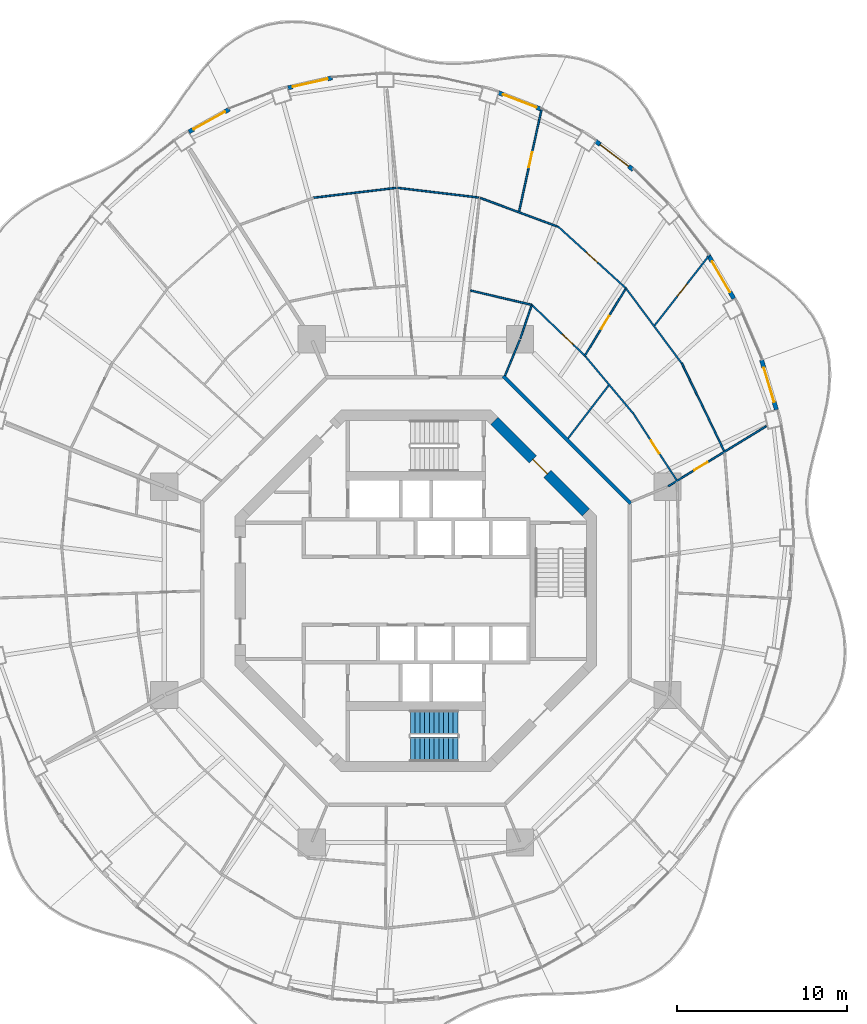
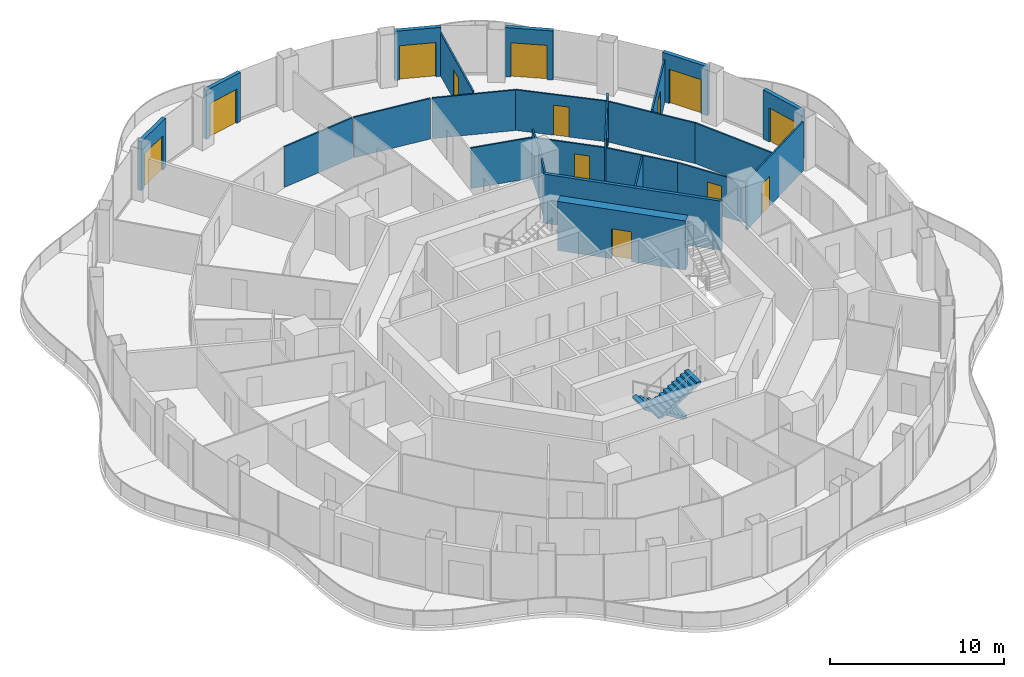
# One storey, part 14 of 18: 25 walls, 14 doors, 2 stair flights, 14 openings, 1 element without a shape of its own.
"""IFC4 building model written with IfcOpenShell, lengths in metres."""

from ifc_helpers import new_model, si_unit, direction, frame, frame_2d, origin, place, context, subcontext, project, spatial, polyline, rectangle, outline, extrude, material, layer, layer_set, type_object, element, fill, aggregate, save


model = new_model("IFC4")

# Units and contexts
model_context = context("Model", 3, precision=1e-05, world=origin(), true_north=direction((0.0, 1.0)))
body_context = subcontext(model_context, "Body", "Model", "MODEL_VIEW")
ifc_project = project(units=[si_unit("LENGTHUNIT", "METRE"), si_unit("AREAUNIT", "SQUARE_METRE"), si_unit("VOLUMEUNIT", "CUBIC_METRE"), si_unit("PLANEANGLEUNIT", "RADIAN"), si_unit("MASSUNIT", "GRAM", prefix="KILO")], contexts=[model_context])

# Site, building, storey
site_placement = place(None, origin())
site = spatial("IfcSite", under=ifc_project, at=site_placement, CompositionType="ELEMENT")
building_placement = place(site_placement, origin())
building = spatial("IfcBuilding", under=site, at=building_placement, Name="Nagisa Residences", CompositionType="ELEMENT")
storey_placement = place(building_placement, frame((0.0, 0.0, 227.0)))
storey = spatial("IfcBuildingStorey", under=building, at=storey_placement, Name="L57", CompositionType="ELEMENT", Elevation=227.0)

# Wall
ifc_material_1 = material(Name="Gypsum board on steel studs", Category="steel")
ifc_layer_1 = layer(ifc_material_1, 0.199951171875)
ifc_layer_set_1 = layer_set([ifc_layer_1], Name="Apartment entry wall EI60 200")
wall_type_1 = type_object("IfcWallType", Name="Apartment entry wall EI60 200", PredefinedType="PARTITIONING", material=ifc_layer_set_1)
wall_1_placement = place(storey_placement, frame((12.635498046875, 5.1337890625, 0.0), z_axis=(0.0, 0.0, 1.0), x_axis=(-0.707106781187, 0.707106781187, 0.0)))
element("IfcWall", 1, at=wall_1_placement, inside=storey, type_object=wall_type_1, Name="wall:L57:u09", PredefinedType="PARTITIONING", context=body_context, shape_type="SweptSolid", body=[
    extrude(rectangle(XDim=10.609130859375, YDim=0.199951171875, at=frame_2d((5.3046875, 0.0))), origin(), (0.0, 0.0, 1.0), 3.43994140625),
])

# Wall, opening, door
ifc_material_2 = material(Name="Gypsum board on steel studs", Category="steel")
ifc_layer_2 = layer(ifc_material_2, 0.10009765625)
ifc_layer_set_2 = layer_set([ifc_layer_2], Name="Apartment partition 100")
wall_type_2 = type_object("IfcWallType", Name="Apartment partition 100", PredefinedType="PARTITIONING", material=ifc_layer_set_2)
wall_2_placement = place(storey_placement, frame((14.82470703125, 6.149169921875, 0.0), z_axis=(0.0, 0.0, 1.0), x_axis=(0.852781365284, 0.522268075824, 0.0)))
wall_2 = element("IfcWall", 2, at=wall_2_placement, inside=storey, type_object=wall_type_2, Name="wall:L57:u22", PredefinedType="PARTITIONING", context=body_context, shape_type="SweptSolid", body=[
    extrude(rectangle(XDim=6.758056640625, YDim=0.10009765625, at=frame_2d((3.37890625, 0.0))), origin(), (0.0, 0.0, 1.0), 3.43994140625),
])
opening_1_placement = place(wall_2_placement, frame((1.80078125, 0.0, 0.0)))
opening_1 = element("IfcOpeningElement", 3, at=opening_1_placement, cuts=wall_2, Name="Opening L57-U44", PredefinedType="OPENING", context=body_context, shape_type="SweptSolid", body=[
    extrude(rectangle(XDim=0.89990234375, YDim=2.10009765625, at=frame_2d((0.449951171875, 1.050048828125))), frame((0.0, 0.06005859375, 0.0), z_axis=(0.0, -1.0, 0.0), x_axis=(1.0, 0.0, 0.0)), (0.0, 0.0, 1.0), 0.1201171875),
])
ifc_material_3 = material(Name="Timber door set", Category="wood")
door_type_1 = type_object("IfcDoorType", Name="Apartment door 900x2100", OperationType="NOTDEFINED", PredefinedType="DOOR", material=ifc_material_3)
door_1_placement = place(opening_1_placement, frame((0.89990234375, 0.0, 0.0), x_axis=(-1.0, 0.0, 0.0)))
door_1 = element("IfcDoor", 4, at=door_1_placement, inside=storey, type_object=door_type_1, Name="Door to study, Apartment 57D", OperationType="SINGLE_SWING_LEFT", OverallHeight=2.10009765625, OverallWidth=0.89990234375, PredefinedType="DOOR", context=body_context, shape_type="SweptSolid", body=[
    extrude(rectangle(XDim=0.89990234375, YDim=2.10009765625, at=frame_2d((0.449951171875, 1.050048828125))), frame((0.0, 0.02490234375, 0.0), z_axis=(0.0, -1.0, 0.0), x_axis=(1.0, 0.0, 0.0)), (0.0, 0.0, 1.0), 0.050048828125),
])
fill(opening_1, door_1)

wall_3_placement = place(storey_placement, frame((15.322509765625, 6.512451171875, 0.0), z_axis=(0.0, 0.0, 1.0), x_axis=(-0.545191322361, 0.8383116497, 0.0)))
wall_3 = element("IfcWall", 5, at=wall_3_placement, inside=storey, type_object=wall_type_2, Name="wall:L57:u23", PredefinedType="PARTITIONING", context=body_context, shape_type="SweptSolid", body=[
    extrude(rectangle(XDim=4.692626953125, YDim=0.10009765625, at=frame_2d((2.34619140625, 0.0))), origin(), (0.0, 0.0, 1.0), 2.8369140625),
])
opening_2_placement = place(wall_3_placement, frame((1.87109375, 0.0, 0.0)))
opening_2 = element("IfcOpeningElement", 6, at=opening_2_placement, cuts=wall_3, Name="Opening L57-U43", PredefinedType="OPENING", context=body_context, shape_type="SweptSolid", body=[
    extrude(rectangle(XDim=0.89990234375, YDim=2.10009765625, at=frame_2d((0.449951171875, 1.050048828125))), frame((0.0, 0.06005859375, 0.0), z_axis=(0.0, -1.0, 0.0), x_axis=(1.0, 0.0, 0.0)), (0.0, 0.0, 1.0), 0.1201171875),
])
door_2_placement = place(opening_2_placement, origin())
door_2 = element("IfcDoor", 7, at=door_2_placement, inside=storey, type_object=door_type_1, Name="Door to store, Apartment 57D", OperationType="SINGLE_SWING_LEFT", OverallHeight=2.10009765625, OverallWidth=0.89990234375, PredefinedType="DOOR", context=body_context, shape_type="SweptSolid", body=[
    extrude(rectangle(XDim=0.89990234375, YDim=2.10009765625, at=frame_2d((0.449951171875, 1.050048828125))), frame((0.0, 0.02490234375, 0.0), z_axis=(0.0, -1.0, 0.0), x_axis=(1.0, 0.0, 0.0)), (0.0, 0.0, 1.0), 0.050048828125),
])
fill(opening_2, door_2)

# Walls
wall_4_placement = place(storey_placement, frame((18.11669921875, 8.2236328125, 0.0), z_axis=(0.0, 0.0, 1.0), x_axis=(-0.434647681571, 0.900600573453, 0.0)))
element("IfcWall", 8, at=wall_4_placement, inside=storey, type_object=wall_type_2, Name="wall:L57:u24", PredefinedType="PARTITIONING", context=body_context, shape_type="SweptSolid", body=[
    extrude(rectangle(XDim=5.724365234375, YDim=0.10009765625, at=frame_2d((2.8623046875, 0.0))), origin(), (0.0, 0.0, 1.0), 2.8369140625),
])
wall_5_placement = place(storey_placement, frame((12.75927734375, 10.442626953125, 0.0), z_axis=(0.0, 0.0, 1.0), x_axis=(-0.642225196965, 0.766516011825, 0.0)))
element("IfcWall", 9, at=wall_5_placement, inside=storey, type_object=wall_type_2, Name="wall:L57:u25", PredefinedType="PARTITIONING", context=body_context, shape_type="SweptSolid", body=[
    extrude(rectangle(XDim=4.360595703125, YDim=0.10009765625, at=frame_2d((2.18017578125, 0.0))), origin(), (0.0, 0.0, 1.0), 2.8369140625),
])
wall_6_placement = place(storey_placement, frame((15.62060546875, 13.3740234375, 0.0), z_axis=(0.0, 0.0, 1.0), x_axis=(-0.596165830899, 0.802861321816, 0.0)))
element("IfcWall", 10, at=wall_6_placement, inside=storey, type_object=wall_type_2, Name="wall:L57:u26", PredefinedType="PARTITIONING", context=body_context, shape_type="SweptSolid", body=[
    extrude(rectangle(XDim=5.5419921875, YDim=0.10009765625, at=frame_2d((2.77099609375, 0.0))), origin(), (0.0, 0.0, 1.0), 2.8369140625),
])
wall_7_placement = place(storey_placement, frame((8.945556640625, 8.964111328125, 0.0), z_axis=(0.0, 0.0, 1.0), x_axis=(0.608213063121, 0.793773815296, 0.0)))
element("IfcWall", 11, at=wall_7_placement, inside=storey, type_object=wall_type_2, Name="wall:L57:u27", PredefinedType="PARTITIONING", context=body_context, shape_type="SweptSolid", body=[
    extrude(rectangle(XDim=3.918212890625, YDim=0.10009765625, at=frame_2d((1.958984375, 0.0))), origin(), (0.0, 0.0, 1.0), 2.761962890625),
])

# Wall, opening, door
wall_8_placement = place(storey_placement, frame((14.029052734375, 15.597900390625, 0.0), z_axis=(0.0, 0.0, 1.0), x_axis=(0.614558710688, 0.788871086501, 0.0)))
wall_8 = element("IfcWall", 12, at=wall_8_placement, inside=storey, type_object=wall_type_2, Name="wall:L57:u28", PredefinedType="PARTITIONING", context=body_context, shape_type="SweptSolid", body=[
    extrude(rectangle(XDim=5.276123046875, YDim=0.10009765625, at=frame_2d((2.63818359375, 0.0))), origin(), (0.0, 0.0, 1.0), 2.98291015625),
])
opening_3_placement = place(wall_8_placement, frame((2.18798828125, 0.0, 0.0)))
opening_3 = element("IfcOpeningElement", 13, at=opening_3_placement, cuts=wall_8, Name="Opening L57-U42", PredefinedType="OPENING", context=body_context, shape_type="SweptSolid", body=[
    extrude(rectangle(XDim=0.89990234375, YDim=2.10009765625, at=frame_2d((0.449951171875, 1.050048828125))), frame((0.0, 0.06005859375, 0.0), z_axis=(0.0, -1.0, 0.0), x_axis=(1.0, 0.0, 0.0)), (0.0, 0.0, 1.0), 0.1201171875),
])
door_3_placement = place(opening_3_placement, frame((0.89990234375, 0.0, 0.0), x_axis=(-1.0, 0.0, 0.0)))
door_3 = element("IfcDoor", 14, at=door_3_placement, inside=storey, type_object=door_type_1, Name="Door to master bedroom, Apartment 57D", OperationType="SINGLE_SWING_LEFT", OverallHeight=2.10009765625, OverallWidth=0.89990234375, PredefinedType="DOOR", context=body_context, shape_type="SweptSolid", body=[
    extrude(rectangle(XDim=0.89990234375, YDim=2.10009765625, at=frame_2d((0.449951171875, 1.050048828125))), frame((0.0, 0.02490234375, 0.0), z_axis=(0.0, -1.0, 0.0), x_axis=(1.0, 0.0, 0.0)), (0.0, 0.0, 1.0), 0.050048828125),
])
fill(opening_3, door_3)

wall_9_placement = place(storey_placement, frame((9.900390625, 13.78076171875, 0.0), z_axis=(0.0, 0.0, 1.0), x_axis=(0.521464905534, 0.853272730313, 0.0)))
wall_9 = element("IfcWall", 15, at=wall_9_placement, inside=storey, type_object=wall_type_2, Name="wall:L57:u29", PredefinedType="PARTITIONING", context=body_context, shape_type="SweptSolid", body=[
    extrude(rectangle(XDim=4.640625, YDim=0.10009765625, at=frame_2d((2.3203125, 0.0))), origin(), (0.0, 0.0, 1.0), 3.43994140625),
])
opening_4_placement = place(wall_9_placement, frame((1.895263671875, 0.0, 0.0)))
opening_4 = element("IfcOpeningElement", 16, at=opening_4_placement, cuts=wall_9, Name="Opening L57-U41", PredefinedType="OPENING", context=body_context, shape_type="SweptSolid", body=[
    extrude(rectangle(XDim=0.89990234375, YDim=2.10009765625, at=frame_2d((0.449951171875, 1.050048828125))), frame((0.0, 0.06005859375, 0.0), z_axis=(0.0, -1.0, 0.0), x_axis=(1.0, 0.0, 0.0)), (0.0, 0.0, 1.0), 0.1201171875),
])
door_4_placement = place(opening_4_placement, frame((0.89990234375, 0.0, 0.0), x_axis=(-1.0, 0.0, 0.0)))
door_4 = element("IfcDoor", 17, at=door_4_placement, inside=storey, type_object=door_type_1, Name="Door to kitchen, Apartment 57D", OperationType="SINGLE_SWING_RIGHT", OverallHeight=2.10009765625, OverallWidth=0.89990234375, PredefinedType="DOOR", context=body_context, shape_type="SweptSolid", body=[
    extrude(rectangle(XDim=0.89990234375, YDim=2.10009765625, at=frame_2d((0.449951171875, 1.050048828125))), frame((0.0, 0.02490234375, 0.0), z_axis=(0.0, -1.0, 0.0), x_axis=(1.0, 0.0, 0.0)), (0.0, 0.0, 1.0), 0.050048828125),
])
fill(opening_4, door_4)

wall_10_placement = place(storey_placement, frame((9.890380859375, 13.858154296875, 0.0), z_axis=(0.0, 0.0, 1.0), x_axis=(-0.72167233993, 0.692234811159, 0.0)))
wall_10 = element("IfcWall", 18, at=wall_10_placement, inside=storey, type_object=wall_type_2, Name="wall:L57:u30", PredefinedType="PARTITIONING", context=body_context, shape_type="SweptSolid", body=[
    extrude(rectangle(XDim=4.312744140625, YDim=0.10009765625, at=frame_2d((2.15625, 0.0))), origin(), (0.0, 0.0, 1.0), 2.8369140625),
])
opening_5_placement = place(wall_10_placement, frame((0.882568359375, 0.0, 0.0)))
opening_5 = element("IfcOpeningElement", 19, at=opening_5_placement, cuts=wall_10, Name="Opening L57-U40", PredefinedType="OPENING", context=body_context, shape_type="SweptSolid", body=[
    extrude(rectangle(XDim=0.89990234375, YDim=2.10009765625, at=frame_2d((0.449951171875, 1.050048828125))), frame((0.0, 0.06005859375, 0.0), z_axis=(0.0, -1.0, 0.0), x_axis=(1.0, 0.0, 0.0)), (0.0, 0.0, 1.0), 0.1201171875),
])
door_5_placement = place(opening_5_placement, origin())
door_5 = element("IfcDoor", 20, at=door_5_placement, inside=storey, type_object=door_type_1, Name="Door to laundry, Apartment 57D", OperationType="SINGLE_SWING_RIGHT", OverallHeight=2.10009765625, OverallWidth=0.89990234375, PredefinedType="DOOR", context=body_context, shape_type="SweptSolid", body=[
    extrude(rectangle(XDim=0.89990234375, YDim=2.10009765625, at=frame_2d((0.449951171875, 1.050048828125))), frame((0.0, 0.02490234375, 0.0), z_axis=(0.0, -1.0, 0.0), x_axis=(1.0, 0.0, 0.0)), (0.0, 0.0, 1.0), 0.050048828125),
])
fill(opening_5, door_5)

wall_11_placement = place(storey_placement, frame((12.3095703125, 17.81689453125, 0.0), z_axis=(0.0, 0.0, 1.0), x_axis=(-0.739697052892, 0.672940019573, 0.0)))
wall_11 = element("IfcWall", 21, at=wall_11_placement, inside=storey, type_object=wall_type_2, Name="wall:L57:u31", PredefinedType="PARTITIONING", context=body_context, shape_type="SweptSolid", body=[
    extrude(rectangle(XDim=5.364990234375, YDim=0.10009765625, at=frame_2d((2.6826171875, 0.0))), origin(), (0.0, 0.0, 1.0), 2.8369140625),
])
opening_6_placement = place(wall_11_placement, frame((2.20751953125, 0.0, 0.0)))
opening_6 = element("IfcOpeningElement", 22, at=opening_6_placement, cuts=wall_11, Name="Opening L57-U37", PredefinedType="OPENING", context=body_context, shape_type="SweptSolid", body=[
    extrude(rectangle(XDim=0.89990234375, YDim=2.10009765625, at=frame_2d((0.449951171875, 1.050048828125))), frame((0.0, 0.06005859375, 0.0), z_axis=(0.0, -1.0, 0.0), x_axis=(1.0, 0.0, 0.0)), (0.0, 0.0, 1.0), 0.1201171875),
])
door_6_placement = place(opening_6_placement, frame((0.89990234375, 0.0, 0.0), x_axis=(-1.0, 0.0, 0.0)))
door_6 = element("IfcDoor", 23, at=door_6_placement, inside=storey, type_object=door_type_1, Name="Door to family room, Apartment 57D", OperationType="SINGLE_SWING_RIGHT", OverallHeight=2.10009765625, OverallWidth=0.89990234375, PredefinedType="DOOR", context=body_context, shape_type="SweptSolid", body=[
    extrude(rectangle(XDim=0.89990234375, YDim=2.10009765625, at=frame_2d((0.449951171875, 1.050048828125))), frame((0.0, 0.02490234375, 0.0), z_axis=(0.0, -1.0, 0.0), x_axis=(1.0, 0.0, 0.0)), (0.0, 0.0, 1.0), 0.050048828125),
])
fill(opening_6, door_6)

# Walls
wall_12_placement = place(storey_placement, frame((5.24267578125, 12.6572265625, 0.0), z_axis=(0.0, 0.0, 1.0), x_axis=(0.382719158442, 0.923864733477, 0.0)))
element("IfcWall", 24, at=wall_12_placement, inside=storey, type_object=wall_type_2, Name="wall:L57:u32", PredefinedType="PARTITIONING", context=body_context, shape_type="SweptSolid", body=[
    extrude(rectangle(XDim=2.25, YDim=0.10009765625, at=frame_2d((1.125, 0.0))), origin(), (0.0, 0.0, 1.0), 3.43994140625),
])
wall_13_placement = place(storey_placement, frame((6.13916015625, 14.829345703125, 0.0), z_axis=(0.0, 0.0, 1.0), x_axis=(0.32278593828, 0.946471995385, 0.0)))
element("IfcWall", 25, at=wall_13_placement, inside=storey, type_object=wall_type_2, Name="wall:L57:u33", PredefinedType="PARTITIONING", context=body_context, shape_type="SweptSolid", body=[
    extrude(rectangle(XDim=2.04150390625, YDim=0.10009765625, at=frame_2d((1.020751953125, 0.0))), origin(), (0.0, 0.0, 1.0), 3.43994140625),
])
wall_14_placement = place(storey_placement, frame((6.765625, 16.8203125, 0.0), z_axis=(0.0, 0.0, 1.0), x_axis=(-0.973612608559, 0.22820711745, 0.0)))
element("IfcWall", 26, at=wall_14_placement, inside=storey, type_object=wall_type_2, Name="wall:L57:u34", PredefinedType="PARTITIONING", context=body_context, shape_type="SweptSolid", body=[
    extrude(rectangle(XDim=3.6630859375, YDim=0.10009765625, at=frame_2d((1.83154296875, 0.0))), origin(), (0.0, 0.0, 1.0), 2.8369140625),
])
wall_15_placement = place(storey_placement, frame((8.3310546875, 21.410888671875, 0.0), z_axis=(0.0, 0.0, 1.0), x_axis=(-0.937891982431, 0.346927412136, 0.0)))
element("IfcWall", 27, at=wall_15_placement, inside=storey, type_object=wall_type_2, Name="wall:L57:u35", PredefinedType="PARTITIONING", context=body_context, shape_type="SweptSolid", body=[
    extrude(rectangle(XDim=4.85009765625, YDim=0.10009765625, at=frame_2d((2.425048828125, 0.0))), origin(), (0.0, 0.0, 1.0), 2.8369140625),
])

# Wall, opening, door
wall_16_placement = place(storey_placement, frame((6.0673828125, 22.301025390625, 0.0), z_axis=(0.0, 0.0, 1.0), x_axis=(0.214401821533, 0.976745544614, 0.0)))
wall_16 = element("IfcWall", 28, at=wall_16_placement, inside=storey, type_object=wall_type_2, Name="wall:L57:u36", PredefinedType="PARTITIONING", context=body_context, shape_type="SweptSolid", body=[
    extrude(rectangle(XDim=6.2275390625, YDim=0.10009765625, at=frame_2d((3.11376953125, 0.0))), origin(), (0.0, 0.0, 1.0), 2.98291015625),
])
opening_7_placement = place(wall_16_placement, frame((2.663818359375, 0.0, 0.0)))
opening_7 = element("IfcOpeningElement", 29, at=opening_7_placement, cuts=wall_16, Name="Opening L57-U38", PredefinedType="OPENING", context=body_context, shape_type="SweptSolid", body=[
    extrude(rectangle(XDim=0.89990234375, YDim=2.10009765625, at=frame_2d((0.449951171875, 1.050048828125))), frame((0.0, 0.06005859375, 0.0), z_axis=(0.0, -1.0, 0.0), x_axis=(1.0, 0.0, 0.0)), (0.0, 0.0, 1.0), 0.1201171875),
])
door_7_placement = place(opening_7_placement, origin())
door_7 = element("IfcDoor", 30, at=door_7_placement, inside=storey, type_object=door_type_1, Name="Door to master bedroom, Apartment 57D", OperationType="SINGLE_SWING_RIGHT", OverallHeight=2.10009765625, OverallWidth=0.89990234375, PredefinedType="DOOR", context=body_context, shape_type="SweptSolid", body=[
    extrude(rectangle(XDim=0.89990234375, YDim=2.10009765625, at=frame_2d((0.449951171875, 1.050048828125))), frame((0.0, 0.02490234375, 0.0), z_axis=(0.0, -1.0, 0.0), x_axis=(1.0, 0.0, 0.0)), (0.0, 0.0, 1.0), 0.050048828125),
])
fill(opening_7, door_7)

# Walls
wall_17_placement = place(storey_placement, frame((3.685791015625, 23.11669921875, 0.0), z_axis=(0.0, 0.0, 1.0), x_axis=(-0.992965872314, 0.11840091393, 0.0)))
element("IfcWall", 31, at=wall_17_placement, inside=storey, type_object=wall_type_2, Name="wall:L57:u38", PredefinedType="PARTITIONING", context=body_context, shape_type="SweptSolid", body=[
    extrude(rectangle(XDim=4.785888671875, YDim=0.10009765625, at=frame_2d((2.39306640625, 0.0))), origin(), (0.0, 0.0, 1.0), 2.8369140625),
])
wall_18_placement = place(storey_placement, frame((-1.165771484375, 23.683349609375, 0.0), z_axis=(0.0, 0.0, 1.0), x_axis=(-0.992961712415, -0.118435795593, 0.0)))
element("IfcWall", 32, at=wall_18_placement, inside=storey, type_object=wall_type_2, Name="wall:L57:u41", PredefinedType="PARTITIONING", context=body_context, shape_type="SweptSolid", body=[
    extrude(rectangle(XDim=4.885498046875, YDim=0.10009765625, at=frame_2d((2.44287109375, 0.0))), origin(), (0.0, 0.0, 1.0), 2.8369140625),
])

# Wall, opening, door
ifc_material_4 = material(Name="Precast concrete C40/50", Category="concrete")
ifc_layer_3 = layer(ifc_material_4, 0.25)
ifc_layer_set_3 = layer_set([ifc_layer_3], Name="BALCONY DOOR WALL 250")
wall_type_3 = type_object("IfcWallType", Name="BALCONY DOOR WALL 250", PredefinedType="SOLIDWALL", material=ifc_layer_set_3)
wall_19_placement = place(storey_placement, frame((20.318115234375, 13.563720703125, 0.0), z_axis=(0.0, 0.0, 1.0), x_axis=(0.285785716255, -0.958293548128, 0.0)))
wall_19 = element("IfcWall", 33, at=wall_19_placement, inside=storey, type_object=wall_type_3, Name="wall:L57:bay02", PredefinedType="SOLIDWALL", context=body_context, shape_type="SweptSolid", body=[
    extrude(rectangle(XDim=3.040283203125, YDim=0.25, at=frame_2d((1.52001953125, 0.0))), origin(), (0.0, 0.0, 1.0), 3.43994140625),
])
opening_8_placement = place(wall_19_placement, frame((0.47021484375, 0.0, 0.0)))
opening_8 = element("IfcOpeningElement", 34, at=opening_8_placement, cuts=wall_19, Name="Opening BD-L57-01", PredefinedType="OPENING", context=body_context, shape_type="SweptSolid", body=[
    extrude(rectangle(XDim=2.10009765625, YDim=2.39990234375, at=frame_2d((1.050048828125, 1.199951171875))), frame((0.0, 0.135009765625, 0.0), z_axis=(0.0, -1.0, 0.0), x_axis=(1.0, 0.0, 0.0)), (0.0, 0.0, 1.0), 0.27001953125),
])
ifc_material_5 = material(Name="Aluminium and clear glass", Category="aluminium")
door_type_2 = type_object("IfcDoorType", Name="BALCONY SLIDING DOOR 2100x2400", OperationType="SLIDING_TO_LEFT", PredefinedType="DOOR", material=ifc_material_5)
door_8_placement = place(opening_8_placement, origin())
door_8 = element("IfcDoor", 35, at=door_8_placement, inside=storey, type_object=door_type_2, Name="door:L57:bay02", OperationType="SLIDING_TO_LEFT", OverallHeight=2.39990234375, OverallWidth=2.10009765625, PredefinedType="DOOR", context=body_context, shape_type="SweptSolid", body=[
    extrude(rectangle(XDim=2.10009765625, YDim=2.39990234375, at=frame_2d((1.050048828125, 1.199951171875))), frame((0.0, 0.02490234375, 0.0), z_axis=(0.0, -1.0, 0.0), x_axis=(1.0, 0.0, 0.0)), (0.0, 0.0, 1.0), 0.050048828125),
])
fill(opening_8, door_8)

wall_20_placement = place(storey_placement, frame((17.188232421875, 19.728271484375, 0.0), z_axis=(0.0, 0.0, 1.0), x_axis=(0.506391620556, -0.862303616269, 0.0)))
wall_20 = element("IfcWall", 36, at=wall_20_placement, inside=storey, type_object=wall_type_3, Name="wall:L57:bay04", PredefinedType="SOLIDWALL", context=body_context, shape_type="SweptSolid", body=[
    extrude(rectangle(XDim=2.954345703125, YDim=0.25, at=frame_2d((1.47705078125, 0.0))), origin(), (0.0, 0.0, 1.0), 3.43994140625),
])
opening_9_placement = place(wall_20_placement, frame((0.42724609375, 0.0, 0.0)))
opening_9 = element("IfcOpeningElement", 37, at=opening_9_placement, cuts=wall_20, Name="Opening BD-L57-02", PredefinedType="OPENING", context=body_context, shape_type="SweptSolid", body=[
    extrude(rectangle(XDim=2.10009765625, YDim=2.39990234375, at=frame_2d((1.050048828125, 1.199951171875))), frame((0.0, 0.135009765625, 0.0), z_axis=(0.0, -1.0, 0.0), x_axis=(1.0, 0.0, 0.0)), (0.0, 0.0, 1.0), 0.27001953125),
])
door_9_placement = place(opening_9_placement, origin())
door_9 = element("IfcDoor", 38, at=door_9_placement, inside=storey, type_object=door_type_2, Name="door:L57:bay04", OperationType="SLIDING_TO_LEFT", OverallHeight=2.39990234375, OverallWidth=2.10009765625, PredefinedType="DOOR", context=body_context, shape_type="SweptSolid", body=[
    extrude(rectangle(XDim=2.10009765625, YDim=2.39990234375, at=frame_2d((1.050048828125, 1.199951171875))), frame((0.0, 0.02490234375, 0.0), z_axis=(0.0, -1.0, 0.0), x_axis=(1.0, 0.0, 0.0)), (0.0, 0.0, 1.0), 0.050048828125),
])
fill(opening_9, door_9)

wall_21_placement = place(storey_placement, frame((10.557373046875, 26.43603515625, 0.0), z_axis=(0.0, 0.0, 1.0), x_axis=(0.796022158395, -0.605267480825, 0.0)))
wall_21 = element("IfcWall", 39, at=wall_21_placement, inside=storey, type_object=wall_type_3, Name="wall:L57:bay07", PredefinedType="SOLIDWALL", context=body_context, shape_type="SweptSolid", body=[
    extrude(rectangle(XDim=2.788818359375, YDim=0.25, at=frame_2d((1.39453125, 0.0))), origin(), (0.0, 0.0, 1.0), 3.43994140625),
])
opening_10_placement = place(wall_21_placement, frame((0.34423828125, 0.0, 0.0)))
opening_10 = element("IfcOpeningElement", 40, at=opening_10_placement, cuts=wall_21, Name="Opening BD-L57-03", PredefinedType="OPENING", context=body_context, shape_type="SweptSolid", body=[
    extrude(rectangle(XDim=2.10009765625, YDim=2.39990234375, at=frame_2d((1.050048828125, 1.199951171875))), frame((0.0, 0.135009765625, 0.0), z_axis=(0.0, -1.0, 0.0), x_axis=(1.0, 0.0, 0.0)), (0.0, 0.0, 1.0), 0.27001953125),
])
door_10_placement = place(opening_10_placement, origin())
door_10 = element("IfcDoor", 41, at=door_10_placement, inside=storey, type_object=door_type_2, Name="door:L57:bay07", OperationType="SLIDING_TO_LEFT", OverallHeight=2.39990234375, OverallWidth=2.10009765625, PredefinedType="DOOR", context=body_context, shape_type="SweptSolid", body=[
    extrude(rectangle(XDim=2.10009765625, YDim=2.39990234375, at=frame_2d((1.050048828125, 1.199951171875))), frame((0.0, 0.02490234375, 0.0), z_axis=(0.0, -1.0, 0.0), x_axis=(1.0, 0.0, 0.0)), (0.0, 0.0, 1.0), 0.050048828125),
])
fill(opening_10, door_10)

wall_22_placement = place(storey_placement, frame((4.85107421875, 29.277587890625, 0.0), z_axis=(0.0, 0.0, 1.0), x_axis=(0.932838255163, -0.360295420044, 0.0)))
wall_22 = element("IfcWall", 42, at=wall_22_placement, inside=storey, type_object=wall_type_3, Name="wall:L57:bay09", PredefinedType="SOLIDWALL", context=body_context, shape_type="SweptSolid", body=[
    extrude(rectangle(XDim=2.6962890625, YDim=0.25, at=frame_2d((1.34814453125, 0.0))), origin(), (0.0, 0.0, 1.0), 3.43994140625),
])
opening_11_placement = place(wall_22_placement, frame((0.298095703125, 0.0, 0.0)))
opening_11 = element("IfcOpeningElement", 43, at=opening_11_placement, cuts=wall_22, Name="Opening BD-L57-04", PredefinedType="OPENING", context=body_context, shape_type="SweptSolid", body=[
    extrude(rectangle(XDim=2.10009765625, YDim=2.39990234375, at=frame_2d((1.050048828125, 1.199951171875))), frame((0.0, 0.135009765625, 0.0), z_axis=(0.0, -1.0, 0.0), x_axis=(1.0, 0.0, 0.0)), (0.0, 0.0, 1.0), 0.27001953125),
])
door_11_placement = place(opening_11_placement, origin())
door_11 = element("IfcDoor", 44, at=door_11_placement, inside=storey, type_object=door_type_2, Name="door:L57:bay09", OperationType="SLIDING_TO_LEFT", OverallHeight=2.39990234375, OverallWidth=2.10009765625, PredefinedType="DOOR", context=body_context, shape_type="SweptSolid", body=[
    extrude(rectangle(XDim=2.10009765625, YDim=2.39990234375, at=frame_2d((1.050048828125, 1.199951171875))), frame((0.0, 0.02490234375, 0.0), z_axis=(0.0, -1.0, 0.0), x_axis=(1.0, 0.0, 0.0)), (0.0, 0.0, 1.0), 0.050048828125),
])
fill(opening_11, door_11)

wall_23_placement = place(storey_placement, frame((-7.514404296875, 29.562744140625, 0.0), z_axis=(0.0, 0.0, 1.0), x_axis=(0.975324089124, 0.220777990694, 0.0)))
wall_23 = element("IfcWall", 45, at=wall_23_placement, inside=storey, type_object=wall_type_3, Name="wall:L57:bay13", PredefinedType="SOLIDWALL", context=body_context, shape_type="SweptSolid", body=[
    extrude(rectangle(XDim=2.666015625, YDim=0.25, at=frame_2d((1.3330078125, 0.0))), origin(), (0.0, 0.0, 1.0), 3.43994140625),
])
opening_12_placement = place(wall_23_placement, frame((0.282958984375, 0.0, 0.0)))
opening_12 = element("IfcOpeningElement", 46, at=opening_12_placement, cuts=wall_23, Name="Opening BD-L57-05", PredefinedType="OPENING", context=body_context, shape_type="SweptSolid", body=[
    extrude(rectangle(XDim=2.10009765625, YDim=2.39990234375, at=frame_2d((1.050048828125, 1.199951171875))), frame((0.0, 0.135009765625, 0.0), z_axis=(0.0, -1.0, 0.0), x_axis=(1.0, 0.0, 0.0)), (0.0, 0.0, 1.0), 0.27001953125),
])
door_12_placement = place(opening_12_placement, origin())
door_12 = element("IfcDoor", 47, at=door_12_placement, inside=storey, type_object=door_type_2, Name="door:L57:bay13", OperationType="SLIDING_TO_LEFT", OverallHeight=2.39990234375, OverallWidth=2.10009765625, PredefinedType="DOOR", context=body_context, shape_type="SweptSolid", body=[
    extrude(rectangle(XDim=2.10009765625, YDim=2.39990234375, at=frame_2d((1.050048828125, 1.199951171875))), frame((0.0, 0.02490234375, 0.0), z_axis=(0.0, -1.0, 0.0), x_axis=(1.0, 0.0, 0.0)), (0.0, 0.0, 1.0), 0.050048828125),
])
fill(opening_12, door_12)

wall_24_placement = place(storey_placement, frame((-13.337890625, 26.973876953125, 0.0), z_axis=(0.0, 0.0, 1.0), x_axis=(0.872101280701, 0.489325409313, 0.0)))
wall_24 = element("IfcWall", 48, at=wall_24_placement, inside=storey, type_object=wall_type_3, Name="wall:L57:bay15", PredefinedType="SOLIDWALL", context=body_context, shape_type="SweptSolid", body=[
    extrude(rectangle(XDim=2.738037109375, YDim=0.25, at=frame_2d((1.369140625, 0.0))), origin(), (0.0, 0.0, 1.0), 3.43994140625),
])
opening_13_placement = place(wall_24_placement, frame((0.319091796875, 0.0, 0.0)))
opening_13 = element("IfcOpeningElement", 49, at=opening_13_placement, cuts=wall_24, Name="Opening BD-L57-06", PredefinedType="OPENING", context=body_context, shape_type="SweptSolid", body=[
    extrude(rectangle(XDim=2.10009765625, YDim=2.39990234375, at=frame_2d((1.050048828125, 1.199951171875))), frame((0.0, 0.135009765625, 0.0), z_axis=(0.0, -1.0, 0.0), x_axis=(1.0, 0.0, 0.0)), (0.0, 0.0, 1.0), 0.27001953125),
])
door_13_placement = place(opening_13_placement, origin())
door_13 = element("IfcDoor", 50, at=door_13_placement, inside=storey, type_object=door_type_2, Name="door:L57:bay15", OperationType="SLIDING_TO_LEFT", OverallHeight=2.39990234375, OverallWidth=2.10009765625, PredefinedType="DOOR", context=body_context, shape_type="SweptSolid", body=[
    extrude(rectangle(XDim=2.10009765625, YDim=2.39990234375, at=frame_2d((1.050048828125, 1.199951171875))), frame((0.0, 0.02490234375, 0.0), z_axis=(0.0, -1.0, 0.0), x_axis=(1.0, 0.0, 0.0)), (0.0, 0.0, 1.0), 0.050048828125),
])
fill(opening_13, door_13)

ifc_material_6 = material(Name="Concrete C60", Category="concrete")
ifc_layer_4 = layer(ifc_material_6, 0.60009765625)
ifc_layer_set_4 = layer_set([ifc_layer_4], Name="Core shear wall 600")
wall_type_4 = type_object("IfcWallType", Name="Core shear wall 600", PredefinedType="SHEAR", material=ifc_layer_set_4)
wall_25_placement = place(storey_placement, frame((9.98828125, 4.613037109375, 0.0), z_axis=(0.0, 0.0, 1.0), x_axis=(-0.707106781187, 0.707106781187, 0.0)))
wall_25 = element("IfcWall", 51, at=wall_25_placement, inside=storey, type_object=wall_type_4, Name="wall:L57:core:flat1", PredefinedType="SHEAR", context=body_context, shape_type="SweptSolid", body=[
    extrude(rectangle(XDim=7.601806640625, YDim=0.60009765625, at=frame_2d((3.80078125, 0.0))), origin(), (0.0, 0.0, 1.0), 3.43994140625),
])
opening_14_placement = place(wall_25_placement, frame((3.200927734375, 0.0, 0.0)))
opening_14 = element("IfcOpeningElement", 52, at=opening_14_placement, cuts=wall_25, Name="Opening L57-C18", PredefinedType="OPENING", context=body_context, shape_type="SweptSolid", body=[
    extrude(rectangle(XDim=1.199951171875, YDim=2.10009765625, at=frame_2d((0.60009765625, 1.050048828125))), frame((0.0, 0.31005859375, 0.0), z_axis=(0.0, -1.0, 0.0), x_axis=(1.0, 0.0, 0.0)), (0.0, 0.0, 1.0), 0.6201171875),
])
ifc_material_7 = material(Name="Steel fire door", Category="steel")
door_type_3 = type_object("IfcDoorType", Name="Fire door EI60 1200x2100 single swing", OperationType="NOTDEFINED", PredefinedType="DOOR", material=ifc_material_7)
door_14_placement = place(opening_14_placement, origin())
door_14 = element("IfcDoor", 53, at=door_14_placement, inside=storey, type_object=door_type_3, Name="Firefighting lobby 1 door L57", OperationType="SINGLE_SWING_LEFT", OverallHeight=2.10009765625, OverallWidth=1.199951171875, PredefinedType="DOOR", context=body_context, shape_type="SweptSolid", body=[
    extrude(rectangle(XDim=1.199951171875, YDim=2.10009765625, at=frame_2d((0.60009765625, 1.050048828125))), frame((0.0, 0.02490234375, 0.0), z_axis=(0.0, -1.0, 0.0), x_axis=(1.0, 0.0, 0.0)), (0.0, 0.0, 1.0), 0.050048828125),
])
fill(opening_14, door_14)

# Stair, stair flights
ifc_material_8 = material(Name="Concrete C60", Category="concrete")
stair_type = type_object("IfcStairType", Name="Exit stair", PredefinedType="HALF_TURN_STAIR", material=ifc_material_8)
stair_placement = place(storey_placement, origin())
stair = element("IfcStair", 54, at=stair_placement, inside=storey, type_object=stair_type, Name="L57 Exit stair S", PredefinedType="HALF_TURN_STAIR")
ifc_material_9 = material(Name="Concrete C60", Category="concrete")
stair_flight_type = type_object("IfcStairFlightType", Name="Exit stair flight", PredefinedType="STRAIGHT", material=ifc_material_9)
stair_flight_1_placement = place(storey_placement, frame((2.47509765625, -7.737060546875, 0.0), z_axis=(0.0, 0.0, 1.0), x_axis=(-1.0, 0.0, 0.0)))
stair_flight_1 = element("IfcStairFlight", 55, at=stair_flight_1_placement, type_object=stair_flight_type, Name="ST-S flight 1", NumberOfRisers=11, NumberOfTreads=10, PredefinedType="STRAIGHT", RiserHeight=0.168181818, TreadLength=0.28, context=body_context, shape_type="SweptSolid", body=[
    extrude(outline(polyline([(0.0, 0.0), (0.0, 0.168212890625), (0.280029296875, 0.168212890625), (0.280029296875, 0.33642578125), (0.56005859375, 0.33642578125), (0.56005859375, 0.504638671875), (0.840087890625, 0.504638671875), (0.840087890625, 0.672607421875), (1.1201171875, 0.672607421875), (1.1201171875, 0.8408203125), (1.39990234375, 0.8408203125), (1.39990234375, 1.009033203125), (1.679931640625, 1.009033203125), (1.679931640625, 1.17724609375), (1.9599609375, 1.17724609375), (1.9599609375, 1.345458984375), (2.239990234375, 1.345458984375), (2.239990234375, 1.513671875), (2.52001953125, 1.513671875), (2.52001953125, 1.681884765625), (2.800048828125, 1.681884765625), (2.800048828125, 1.85009765625), (2.800048828125, 1.5068359375), (0.291015625, 0.0), (0.0, 0.0)])), frame((0.0, 0.71240234375, 0.0), z_axis=(0.0, -1.0, 0.0), x_axis=(1.0, 0.0, 0.0)), (0.0, 0.0, 1.0), 1.425048828125),
])
stair_flight_2_placement = place(storey_placement, frame((-0.324951171875, -9.31201171875, 1.85009765625), z_axis=(0.0, 0.0, 1.0), x_axis=(1.0, 0.0, 0.0)))
stair_flight_2 = element("IfcStairFlight", 56, at=stair_flight_2_placement, type_object=stair_flight_type, Name="ST-S flight 2", NumberOfRisers=11, NumberOfTreads=10, PredefinedType="STRAIGHT", RiserHeight=0.168181818, TreadLength=0.28, context=body_context, shape_type="SweptSolid", body=[
    extrude(outline(polyline([(0.0, 0.0), (0.0, 0.168212890625), (0.280029296875, 0.168212890625), (0.280029296875, 0.33642578125), (0.56005859375, 0.33642578125), (0.56005859375, 0.504638671875), (0.840087890625, 0.504638671875), (0.840087890625, 0.672607421875), (1.1201171875, 0.672607421875), (1.1201171875, 0.8408203125), (1.39990234375, 0.8408203125), (1.39990234375, 1.009033203125), (1.679931640625, 1.009033203125), (1.679931640625, 1.17724609375), (1.9599609375, 1.17724609375), (1.9599609375, 1.345458984375), (2.239990234375, 1.345458984375), (2.239990234375, 1.513671875), (2.52001953125, 1.513671875), (2.52001953125, 1.681884765625), (2.800048828125, 1.681884765625), (2.800048828125, 1.85009765625), (2.800048828125, 1.5068359375), (0.291015625, 0.0), (0.0, 0.0)])), frame((0.0, 0.71240234375, 0.0), z_axis=(0.0, -1.0, 0.0), x_axis=(1.0, 0.0, 0.0)), (0.0, 0.0, 1.0), 1.425048828125),
])
aggregate(stair, [stair_flight_1, stair_flight_2])

save(model, "model.ifc")
